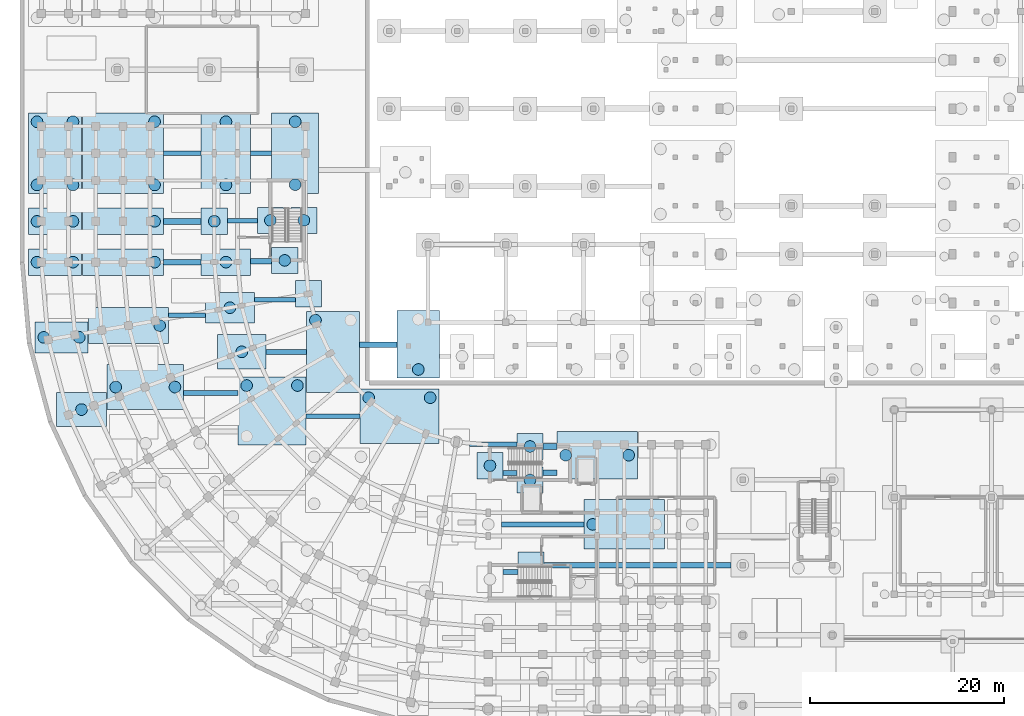
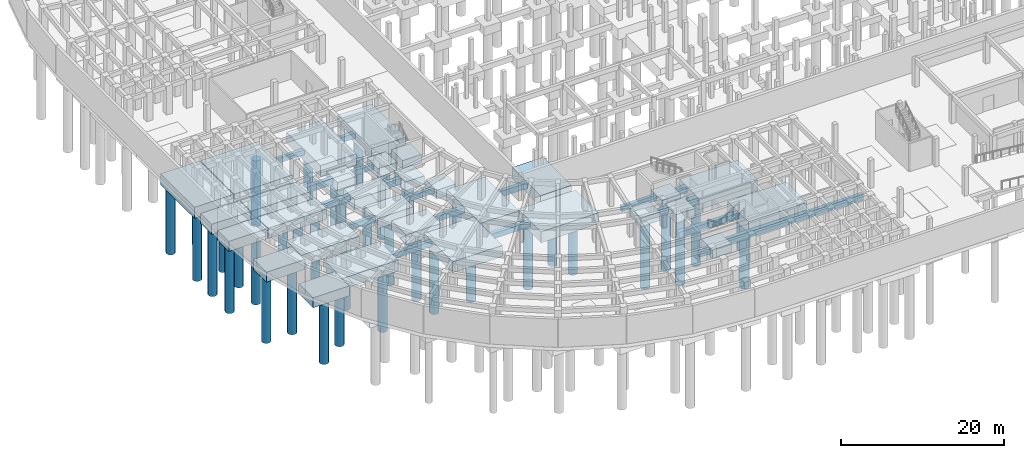
# One storey, part 2 of 53: 49 footings, 41 piles.
"""IFC4 building model written with IfcOpenShell, lengths in metres."""

from ifc_helpers import new_model, si_unit, direction, frame, origin, origin_2d, place, context, subcontext, project, spatial, rectangle, circle, extrude, material, material_profile, profile_set, type_object, element, save


model = new_model("IFC4")

# Units and contexts
model_context = context("Model", 3, precision=1e-05, world=origin(), true_north=direction((0.0, 1.0)))
body_context = subcontext(model_context, "Body", "Model", "MODEL_VIEW")
ifc_project = project(units=[si_unit("LENGTHUNIT", "METRE"), si_unit("AREAUNIT", "SQUARE_METRE"), si_unit("VOLUMEUNIT", "CUBIC_METRE"), si_unit("PLANEANGLEUNIT", "RADIAN"), si_unit("MASSUNIT", "GRAM", prefix="KILO")], contexts=[model_context])

# Site, building, storey
site_placement = place(None, origin())
site = spatial("IfcSite", under=ifc_project, at=site_placement, CompositionType="ELEMENT")
building_placement = place(site_placement, origin())
building = spatial("IfcBuilding", under=site, at=building_placement, Name="Kiranvali Square Residences", CompositionType="ELEMENT")
storey_placement = place(building_placement, frame((0.0, 0.0, -4.5)))
storey = spatial("IfcBuildingStorey", under=building, at=storey_placement, Name="B1", CompositionType="ELEMENT", Elevation=-4.5)

# Footings
ifc_material = material(Name="Concrete M40 (40 MPa)", Category="concrete")
footing_type_1 = type_object("IfcFootingType", Name="FTG-PILE_CAP-270x270x130", PredefinedType="PILE_CAP", material=ifc_material)
footing_1_placement = place(storey_placement, frame((52.58740234375, 17.02490234375, -1.7998046875), z_axis=(0.0, 0.0, 1.0), x_axis=(1.0, 0.0, 0.0)))
element("IfcFooting", 1, at=footing_1_placement, inside=storey, type_object=footing_type_1, Name="B1 pile cap 040", PredefinedType="PILE_CAP", context=body_context, shape_type="SweptSolid", body=[
    extrude(rectangle(XDim=2.700927734375, YDim=2.699951171875, at=origin_2d()), origin(), (0.0, 0.0, 1.0), 1.300048828125),
])
for number, where, z_axis, x_axis, name in (
    (2, (52.5, 25.77490234375, -1.7998046875), (0.0, 0.0, 1.0), (1.0, 0.0, 0.0), "B1 pile cap 061"),
    (3, (48.375, 27.25, -1.7998046875), (0.0, 0.0, 1.0), (1.0, 0.0, 0.0), "B1 pile cap 064"),
    (4, (52.5, 29.22509765625, -1.7998046875), (0.0, 0.0, 1.0), (1.0, 0.0, 0.0), "B1 pile cap 067"),
    (5, (29.68603515625, 44.93505859375, -1.7998046875), (0.0, 0.0, 1.0), (1.0, 0.0, 0.0), "B1 pile cap 108"),
    (6, (27.25, 48.375, -1.7998046875), (0.0, 0.0, 1.0), (1.0, 0.0, 0.0), "B1 pile cap 117"),
    (7, (20.0, 52.39990234375, -1.7998046875), (0.0, 0.0, 1.0), (1.0, 0.0, 0.0), "B1 pile cap 129"),
    (8, (25.77490234375, 52.5, -1.7998046875), (0.0, 0.0, 1.0), (1.0, 0.0, 0.0), "B1 pile cap 131"),
    (9, (29.22509765625, 52.5, -1.7998046875), (0.0, 0.0, 1.0), (1.0, 0.0, 0.0), "B1 pile cap 132"),
):
    element("IfcFooting", number, at=place(storey_placement, frame(where, z_axis=z_axis, x_axis=x_axis)), inside=storey, type_object=footing_type_1, Name=name, PredefinedType="PILE_CAP", context=body_context, shape_type="SweptSolid", body=[
        extrude(rectangle(XDim=2.699951171875, YDim=2.699951171875, at=origin_2d()), origin(), (0.0, 0.0, 1.0), 1.300048828125),
    ])
footing_type_2 = type_object("IfcFootingType", Name="FTG-PILE_CAP-496x352x150", PredefinedType="PILE_CAP", material=ifc_material)
footing_2_placement = place(storey_placement, frame((22.82861328125, 38.965576171875, -2.0), z_axis=(0.0, 0.0, 1.0), x_axis=(1.0, 0.0, 0.0)))
element("IfcFooting", 10, at=footing_2_placement, inside=storey, type_object=footing_type_2, Name="B1 pile cap 095", PredefinedType="PILE_CAP", context=body_context, shape_type="SweptSolid", body=[
    extrude(rectangle(XDim=4.955078125, YDim=3.52099609375, at=origin_2d()), origin(), (0.0, 0.0, 1.0), 1.5),
])
footing_type_3 = type_object("IfcFootingType", Name="FTG-PILE_CAP-506x312x150", PredefinedType="PILE_CAP", material=ifc_material)
footing_3_placement = place(storey_placement, frame((21.610107421875, 43.511474609375, -2.0), z_axis=(0.0, 0.0, 1.0), x_axis=(1.0, 0.0, 0.0)))
element("IfcFooting", 11, at=footing_3_placement, inside=storey, type_object=footing_type_3, Name="B1 pile cap 105", PredefinedType="PILE_CAP", context=body_context, shape_type="SweptSolid", body=[
    extrude(rectangle(XDim=5.06396484375, YDim=3.116943359375, at=origin_2d()), origin(), (0.0, 0.0, 1.0), 1.5),
])
footing_type_4 = type_object("IfcFootingType", Name="FTG-PILE_CAP-510x270x150", PredefinedType="PILE_CAP", material=ifc_material)
footing_4_placement = place(storey_placement, frame((21.199951171875, 48.199951171875, -2.0), z_axis=(0.0, 0.0, 1.0), x_axis=(1.0, 0.0, 0.0)))
element("IfcFooting", 12, at=footing_4_placement, inside=storey, type_object=footing_type_4, Name="B1 pile cap 116", PredefinedType="PILE_CAP", context=body_context, shape_type="SweptSolid", body=[
    extrude(rectangle(XDim=5.10009765625, YDim=2.699951171875, at=origin_2d()), origin(), (0.0, 0.0, 1.0), 1.5),
])
footing_type_5 = type_object("IfcFootingType", Name="FTG-PILE_CAP-512x351x150", PredefinedType="PILE_CAP", material=ifc_material)
footing_5_placement = place(storey_placement, frame((6.33251953125, 33.02099609375, -2.0), z_axis=(0.0, 0.0, 1.0), x_axis=(1.0, 0.0, 0.0)))
element("IfcFooting", 13, at=footing_5_placement, inside=storey, type_object=footing_type_5, Name="B1 pile cap 074", PredefinedType="PILE_CAP", context=body_context, shape_type="SweptSolid", body=[
    extrude(rectangle(XDim=5.116943359375, YDim=3.508056640625, at=origin_2d()), origin(), (0.0, 0.0, 1.0), 1.5),
])
footing_type_6 = type_object("IfcFootingType", Name="FTG-PILE_CAP-546x319x150", PredefinedType="PILE_CAP", material=ifc_material)
footing_6_placement = place(storey_placement, frame((4.277587890625, 40.455078125, -2.0), z_axis=(0.0, 0.0, 1.0), x_axis=(1.0, 0.0, 0.0)))
element("IfcFooting", 14, at=footing_6_placement, inside=storey, type_object=footing_type_6, Name="B1 pile cap 100", PredefinedType="PILE_CAP", context=body_context, shape_type="SweptSolid", body=[
    extrude(rectangle(XDim=5.45703125, YDim=3.18603515625, at=origin_2d()), origin(), (0.0, 0.0, 1.0), 1.5),
])
footing_type_7 = type_object("IfcFootingType", Name="FTG-PILE_CAP-550x270x150", PredefinedType="PILE_CAP", material=ifc_material)
for number, where, z_axis, x_axis, name in (
    (15, (3.60009765625, 48.199951171875, -2.0), (0.0, 0.0, 1.0), (1.0, 0.0, 0.0), "B1 pile cap 114"),
    (16, (3.60009765625, 52.39990234375, -2.0), (0.0, 0.0, 1.0), (1.0, 0.0, 0.0), "B1 pile cap 127"),
):
    element("IfcFooting", number, at=place(storey_placement, frame(where, z_axis=z_axis, x_axis=x_axis)), inside=storey, type_object=footing_type_7, Name=name, PredefinedType="PILE_CAP", context=body_context, shape_type="SweptSolid", body=[
        extrude(rectangle(XDim=5.5, YDim=2.699951171875, at=origin_2d()), origin(), (0.0, 0.0, 1.0), 1.5),
    ])
footing_type_8 = type_object("IfcFootingType", Name="FTG-PILE_CAP-695x440x165", PredefinedType="PILE_CAP", material=ifc_material)
footing_7_placement = place(storey_placement, frame((41.0, 39.72509765625, -2.14990234375), z_axis=(0.0, 0.0, 1.0), x_axis=(0.0, 1.0, 0.0)))
element("IfcFooting", 17, at=footing_7_placement, inside=storey, type_object=footing_type_8, Name="B1 pile cap 084", PredefinedType="PILE_CAP", context=body_context, shape_type="SweptSolid", body=[
    extrude(rectangle(XDim=6.949951171875, YDim=4.39990234375, at=origin_2d()), origin(), (0.0, 0.0, 1.0), 1.64990234375),
])
footing_type_9 = type_object("IfcFootingType", Name="FTG-PILE_CAP-703x703x165", PredefinedType="PILE_CAP", material=ifc_material)
footing_8_placement = place(storey_placement, frame((25.94140625, 32.884521484375, -2.14990234375), z_axis=(0.0, 0.0, 1.0), x_axis=(1.0, 0.0, 0.0)))
element("IfcFooting", 18, at=footing_8_placement, inside=storey, type_object=footing_type_9, Name="B1 pile cap 070", PredefinedType="PILE_CAP", context=body_context, shape_type="SweptSolid", body=[
    extrude(rectangle(XDim=7.027099609375, YDim=7.027099609375, at=origin_2d()), origin(), (0.0, 0.0, 1.0), 1.64990234375),
])
footing_type_10 = type_object("IfcFootingType", Name="FTG-PILE_CAP-790x462x165", PredefinedType="PILE_CAP", material=ifc_material)
footing_9_placement = place(storey_placement, frame((12.8994140625, 35.340087890625, -2.14990234375), z_axis=(0.0, 0.0, 1.0), x_axis=(1.0, 0.0, 0.0)))
element("IfcFooting", 19, at=footing_9_placement, inside=storey, type_object=footing_type_10, Name="B1 pile cap 081", PredefinedType="PILE_CAP", context=body_context, shape_type="SweptSolid", body=[
    extrude(rectangle(XDim=7.89892578125, YDim=4.615966796875, at=origin_2d()), origin(), (0.0, 0.0, 1.0), 1.64990234375),
])
footing_type_11 = type_object("IfcFootingType", Name="FTG-PILE_CAP-813x563x165", PredefinedType="PILE_CAP", material=ifc_material)
footing_10_placement = place(storey_placement, frame((39.053466796875, 32.33154296875, -2.14990234375), z_axis=(0.0, 0.0, 1.0), x_axis=(1.0, 0.0, 0.0)))
element("IfcFooting", 20, at=footing_10_placement, inside=storey, type_object=footing_type_11, Name="B1 pile cap 073", PredefinedType="PILE_CAP", context=body_context, shape_type="SweptSolid", body=[
    extrude(rectangle(XDim=8.133056640625, YDim=5.633056640625, at=origin_2d()), origin(), (0.0, 0.0, 1.0), 1.64990234375),
])
footing_type_12 = type_object("IfcFootingType", Name="FTG-PILE_CAP-821x367x165", PredefinedType="PILE_CAP", material=ifc_material)
footing_11_placement = place(storey_placement, frame((11.17138671875, 41.6708984375, -2.14990234375), z_axis=(0.0, 0.0, 1.0), x_axis=(1.0, 0.0, 0.0)))
element("IfcFooting", 21, at=footing_11_placement, inside=storey, type_object=footing_type_12, Name="B1 pile cap 101", PredefinedType="PILE_CAP", context=body_context, shape_type="SweptSolid", body=[
    extrude(rectangle(XDim=8.215087890625, YDim=3.672119140625, at=origin_2d()), origin(), (0.0, 0.0, 1.0), 1.64990234375),
])
footing_type_13 = type_object("IfcFootingType", Name="FTG-PILE_CAP-828x485x165", PredefinedType="PILE_CAP", material=ifc_material)
for number, where, z_axis, x_axis, name in (
    (22, (59.41259765625, 28.324951171875, -2.14990234375), (0.0, 0.0, 1.0), (1.0, 0.0, 0.0), "B1 pile cap 065"),
    (23, (28.324951171875, 59.41259765625, -2.14990234375), (0.0, 0.0, 1.0), (0.0, 1.0, 0.0), "B1 pile cap 151"),
):
    element("IfcFooting", number, at=place(storey_placement, frame(where, z_axis=z_axis, x_axis=x_axis)), inside=storey, type_object=footing_type_13, Name=name, PredefinedType="PILE_CAP", context=body_context, shape_type="SweptSolid", body=[
        extrude(rectangle(XDim=8.27490234375, YDim=4.85009765625, at=origin_2d()), origin(), (0.0, 0.0, 1.0), 1.64990234375),
    ])
footing_type_14 = type_object("IfcFootingType", Name="FTG-PILE_CAP-830x270x150", PredefinedType="PILE_CAP", material=ifc_material)
for number, where, z_axis, x_axis, name in (
    (24, (10.60009765625, 48.199951171875, -2.0), (0.0, 0.0, 1.0), (1.0, 0.0, 0.0), "B1 pile cap 115"),
    (25, (10.60009765625, 52.39990234375, -2.0), (0.0, 0.0, 1.0), (1.0, 0.0, 0.0), "B1 pile cap 128"),
):
    element("IfcFooting", number, at=place(storey_placement, frame(where, z_axis=z_axis, x_axis=x_axis)), inside=storey, type_object=footing_type_14, Name=name, PredefinedType="PILE_CAP", context=body_context, shape_type="SweptSolid", body=[
        extrude(rectangle(XDim=8.300048828125, YDim=2.699951171875, at=origin_2d()), origin(), (0.0, 0.0, 1.0), 1.5),
    ])
footing_type_15 = type_object("IfcFootingType", Name="FTG-PILE_CAP-830x510x165", PredefinedType="PILE_CAP", material=ifc_material)
for number, where, z_axis, x_axis, name in (
    (26, (62.199951171875, 21.199951171875, -2.14990234375), (0.0, 0.0, 1.0), (1.0, 0.0, 0.0), "B1 pile cap 047"),
    (27, (21.199951171875, 59.39990234375, -2.14990234375), (0.0, 0.0, 1.0), (0.0, 1.0, 0.0), "B1 pile cap 150"),
):
    element("IfcFooting", number, at=place(storey_placement, frame(where, z_axis=z_axis, x_axis=x_axis)), inside=storey, type_object=footing_type_15, Name=name, PredefinedType="PILE_CAP", context=body_context, shape_type="SweptSolid", body=[
        extrude(rectangle(XDim=8.300048828125, YDim=5.10009765625, at=origin_2d()), origin(), (0.0, 0.0, 1.0), 1.64990234375),
    ])
footing_type_16 = type_object("IfcFootingType", Name="FTG-PILE_CAP-830x550x165", PredefinedType="PILE_CAP", material=ifc_material)
footing_12_placement = place(storey_placement, frame((3.60009765625, 59.39990234375, -2.14990234375), z_axis=(0.0, 0.0, 1.0), x_axis=(0.0, 1.0, 0.0)))
element("IfcFooting", 28, at=footing_12_placement, inside=storey, type_object=footing_type_16, Name="B1 pile cap 148", PredefinedType="PILE_CAP", context=body_context, shape_type="SweptSolid", body=[
    extrude(rectangle(XDim=8.300048828125, YDim=5.5, at=origin_2d()), origin(), (0.0, 0.0, 1.0), 1.64990234375),
])
footing_type_17 = type_object("IfcFootingType", Name="FTG-PILE_CAP-830x830x180", PredefinedType="PILE_CAP", material=ifc_material)
footing_13_placement = place(storey_placement, frame((10.60009765625, 59.39990234375, -2.2998046875), z_axis=(0.0, 0.0, 1.0), x_axis=(1.0, 0.0, 0.0)))
element("IfcFooting", 29, at=footing_13_placement, inside=storey, type_object=footing_type_17, Name="B1 pile cap 149", PredefinedType="PILE_CAP", context=body_context, shape_type="SweptSolid", body=[
    extrude(rectangle(XDim=8.300048828125, YDim=8.300048828125, at=origin_2d()), origin(), (0.0, 0.0, 1.0), 1.800048828125),
])
footing_type_18 = type_object("IfcFootingType", Name="FTG-PILE_CAP-835x541x165", PredefinedType="PILE_CAP", material=ifc_material)
footing_14_placement = place(storey_placement, frame((32.220947265625, 38.943115234375, -2.14990234375), z_axis=(0.0, 0.0, 1.0), x_axis=(0.0, 1.0, 0.0)))
element("IfcFooting", 30, at=footing_14_placement, inside=storey, type_object=footing_type_18, Name="B1 pile cap 082", PredefinedType="PILE_CAP", context=body_context, shape_type="SweptSolid", body=[
    extrude(rectangle(XDim=8.35400390625, YDim=5.412109375, at=origin_2d()), origin(), (0.0, 0.0, 1.0), 1.64990234375),
])
ifc_material_profile_1 = material_profile(ifc_material, rectangle(XDim=0.449951171875, YDim=0.75, at=origin_2d()), Name="GB 450x750")
ifc_profile_set_1 = profile_set([ifc_material_profile_1], Name="Concrete M40 (40 MPa)")
footing_type_19 = type_object("IfcFootingType", Name="GB-M40-450x750", PredefinedType="FOOTING_BEAM", material=ifc_profile_set_1)
footing_15_placement = place(storey_placement, frame((46.284912109375, 29.45556640625, -0.875), z_axis=(1.0, 0.0, 0.0), x_axis=(0.0, 1.0, 0.0)))
element("IfcFooting", 31, at=footing_15_placement, inside=storey, type_object=footing_type_19, Name="Continuous foundation ground beam GB-056", PredefinedType="FOOTING_BEAM", context=body_context, shape_type="SweptSolid", body=[
    extrude(rectangle(XDim=0.449951171875, YDim=0.75, at=origin_2d()), origin(), (0.0, 0.0, 1.0), 4.864990234375),
])
footing_16_placement = place(storey_placement, frame((24.14208984375, 44.327392578125, -0.875), z_axis=(1.0, 0.0, 0.0), x_axis=(0.0, 1.0, 0.0)))
element("IfcFooting", 32, at=footing_16_placement, inside=storey, type_object=footing_type_19, Name="Continuous foundation ground beam GB-084", PredefinedType="FOOTING_BEAM", context=body_context, shape_type="SweptSolid", body=[
    extrude(rectangle(XDim=0.449951171875, YDim=0.75, at=origin_2d()), origin(), (0.0, 0.0, 1.0), 4.19384765625),
])
footing_17_placement = place(storey_placement, frame((21.35009765625, 52.449951171875, -0.875), z_axis=(1.0, 0.0, 0.0), x_axis=(0.0, 1.0, 0.0)))
element("IfcFooting", 33, at=footing_17_placement, inside=storey, type_object=footing_type_19, Name="Continuous foundation ground beam GB-100", PredefinedType="FOOTING_BEAM", context=body_context, shape_type="SweptSolid", body=[
    extrude(rectangle(XDim=0.449951171875, YDim=0.75, at=origin_2d()), origin(), (0.0, 0.0, 1.0), 3.074951171875),
])
footing_18_placement = place(storey_placement, frame((14.75, 59.39990234375, -0.875), z_axis=(1.0, 0.0, 0.0), x_axis=(0.0, 1.0, 0.0)))
element("IfcFooting", 34, at=footing_18_placement, inside=storey, type_object=footing_type_19, Name="Continuous foundation ground beam GB-116", PredefinedType="FOOTING_BEAM", context=body_context, shape_type="SweptSolid", body=[
    extrude(rectangle(XDim=0.449951171875, YDim=0.75, at=origin_2d()), origin(), (0.0, 0.0, 1.0), 3.89990234375),
])
ifc_material_profile_2 = material_profile(ifc_material, rectangle(XDim=0.5, YDim=0.800048828125, at=origin_2d()), Name="GB 500x800")
ifc_profile_set_2 = profile_set([ifc_material_profile_2], Name="Concrete M40 (40 MPa)")
footing_type_20 = type_object("IfcFootingType", Name="GB-M40-500x800", PredefinedType="FOOTING_BEAM", material=ifc_profile_set_2)
footing_19_placement = place(storey_placement, frame((49.72509765625, 16.28759765625, -0.89990234375), z_axis=(1.0, 0.0, 0.0), x_axis=(0.0, 1.0, 0.0)))
element("IfcFooting", 35, at=footing_19_placement, inside=storey, type_object=footing_type_20, Name="Continuous foundation ground beam GB-033", PredefinedType="FOOTING_BEAM", context=body_context, shape_type="SweptSolid", body=[
    extrude(rectangle(XDim=0.5, YDim=0.800048828125, at=origin_2d()), origin(), (0.0, 0.0, 1.0), 1.511962890625),
])
footing_20_placement = place(storey_placement, frame((49.72509765625, 26.512451171875, -0.89990234375), z_axis=(1.0, 0.0, 0.0), x_axis=(0.0, 1.0, 0.0)))
element("IfcFooting", 36, at=footing_20_placement, inside=storey, type_object=footing_type_20, Name="Continuous foundation ground beam GB-053", PredefinedType="FOOTING_BEAM", context=body_context, shape_type="SweptSolid", body=[
    extrude(rectangle(XDim=0.5, YDim=0.800048828125, at=origin_2d()), origin(), (0.0, 0.0, 1.0), 1.4248046875),
])
footing_21_placement = place(storey_placement, frame((29.455078125, 32.33154296875, -0.89990234375), z_axis=(1.0, 0.0, 0.0), x_axis=(0.0, 1.0, 0.0)))
element("IfcFooting", 37, at=footing_21_placement, inside=storey, type_object=footing_type_20, Name="Continuous foundation ground beam GB-057", PredefinedType="FOOTING_BEAM", context=body_context, shape_type="SweptSolid", body=[
    extrude(rectangle(XDim=0.5, YDim=0.800048828125, at=origin_2d()), origin(), (0.0, 0.0, 1.0), 5.531982421875),
])
footing_22_placement = place(storey_placement, frame((16.84912109375, 34.715087890625, -0.89990234375), z_axis=(1.0, 0.0, 0.0), x_axis=(0.0, 1.0, 0.0)))
element("IfcFooting", 38, at=footing_22_placement, inside=storey, type_object=footing_type_20, Name="Continuous foundation ground beam GB-065", PredefinedType="FOOTING_BEAM", context=body_context, shape_type="SweptSolid", body=[
    extrude(rectangle(XDim=0.5, YDim=0.800048828125, at=origin_2d()), origin(), (0.0, 0.0, 1.0), 5.578857421875),
])
footing_23_placement = place(storey_placement, frame((25.305908203125, 38.965576171875, -0.89990234375), z_axis=(1.0, 0.0, 0.0), x_axis=(0.0, 1.0, 0.0)))
element("IfcFooting", 39, at=footing_23_placement, inside=storey, type_object=footing_type_20, Name="Continuous foundation ground beam GB-077", PredefinedType="FOOTING_BEAM", context=body_context, shape_type="SweptSolid", body=[
    extrude(rectangle(XDim=0.5, YDim=0.800048828125, at=origin_2d()), origin(), (0.0, 0.0, 1.0), 4.208984375),
])
footing_24_placement = place(storey_placement, frame((15.279052734375, 42.72998046875, -0.89990234375), z_axis=(1.0, 0.0, 0.0), x_axis=(0.0, 1.0, 0.0)))
element("IfcFooting", 40, at=footing_24_placement, inside=storey, type_object=footing_type_20, Name="Continuous foundation ground beam GB-081", PredefinedType="FOOTING_BEAM", context=body_context, shape_type="SweptSolid", body=[
    extrude(rectangle(XDim=0.5, YDim=0.800048828125, at=origin_2d()), origin(), (0.0, 0.0, 1.0), 3.798828125),
])
footing_25_placement = place(storey_placement, frame((23.75, 59.41259765625, -0.89990234375), z_axis=(1.0, 0.0, 0.0), x_axis=(0.0, 1.0, 0.0)))
element("IfcFooting", 41, at=footing_25_placement, inside=storey, type_object=footing_type_20, Name="Continuous foundation ground beam GB-117", PredefinedType="FOOTING_BEAM", context=body_context, shape_type="SweptSolid", body=[
    extrude(rectangle(XDim=0.5, YDim=0.800048828125, at=origin_2d()), origin(), (0.0, 0.0, 1.0), 2.14990234375),
])
ifc_material_profile_3 = material_profile(ifc_material, rectangle(XDim=0.550048828125, YDim=0.85009765625, at=origin_2d()), Name="GB 550x850")
ifc_profile_set_3 = profile_set([ifc_material_profile_3], Name="Concrete M40 (40 MPa)")
footing_type_21 = type_object("IfcFootingType", Name="GB-M40-550x850", PredefinedType="FOOTING_BEAM", material=ifc_profile_set_3)
footing_26_placement = place(storey_placement, frame((53.93798828125, 17.0, -0.925048828125), z_axis=(1.0, 0.0, 0.0), x_axis=(0.0, 1.0, 0.0)))
element("IfcFooting", 42, at=footing_26_placement, inside=storey, type_object=footing_type_21, Name="Continuous foundation ground beam GB-034", PredefinedType="FOOTING_BEAM", context=body_context, shape_type="SweptSolid", body=[
    extrude(rectangle(XDim=0.550048828125, YDim=0.85009765625, at=origin_2d()), origin(), (0.0, 0.0, 1.0), 19.261962890625),
])
footing_27_placement = place(storey_placement, frame((49.550048828125, 21.199951171875, -0.925048828125), z_axis=(1.0, 0.0, 0.0), x_axis=(0.0, 1.0, 0.0)))
element("IfcFooting", 43, at=footing_27_placement, inside=storey, type_object=footing_type_21, Name="Continuous foundation ground beam GB-038", PredefinedType="FOOTING_BEAM", context=body_context, shape_type="SweptSolid", body=[
    extrude(rectangle(XDim=0.550048828125, YDim=0.85009765625, at=origin_2d()), origin(), (0.0, 0.0, 1.0), 8.5),
])
footing_28_placement = place(storey_placement, frame((34.927001953125, 39.68505859375, -0.925048828125), z_axis=(1.0, 0.0, 0.0), x_axis=(0.0, 1.0, 0.0)))
element("IfcFooting", 44, at=footing_28_placement, inside=storey, type_object=footing_type_21, Name="Continuous foundation ground beam GB-066", PredefinedType="FOOTING_BEAM", context=body_context, shape_type="SweptSolid", body=[
    extrude(rectangle(XDim=0.550048828125, YDim=0.85009765625, at=origin_2d()), origin(), (0.0, 0.0, 1.0), 3.873046875),
])
footing_29_placement = place(storey_placement, frame((14.75, 48.199951171875, -0.925048828125), z_axis=(1.0, 0.0, 0.0), x_axis=(0.0, 1.0, 0.0)))
element("IfcFooting", 45, at=footing_29_placement, inside=storey, type_object=footing_type_21, Name="Continuous foundation ground beam GB-090", PredefinedType="FOOTING_BEAM", context=body_context, shape_type="SweptSolid", body=[
    extrude(rectangle(XDim=0.550048828125, YDim=0.85009765625, at=origin_2d()), origin(), (0.0, 0.0, 1.0), 3.89990234375),
])
ifc_material_profile_4 = material_profile(ifc_material, rectangle(XDim=0.60009765625, YDim=0.89990234375, at=origin_2d()), Name="GB 600x900")
ifc_profile_set_4 = profile_set([ifc_material_profile_4], Name="Concrete M40 (40 MPa)")
footing_type_22 = type_object("IfcFootingType", Name="GB-M40-600x900", PredefinedType="FOOTING_BEAM", material=ifc_profile_set_4)
for number, where, z_axis, x_axis, name in (
    (46, (53.85009765625, 26.512451171875, -0.949951171875), (1.0, 0.0, 0.0), (0.0, 1.0, 0.0), "Continuous foundation ground beam GB-051"),
    (47, (53.85009765625, 29.22509765625, -0.949951171875), (1.0, 0.0, 0.0), (0.0, 1.0, 0.0), "Continuous foundation ground beam GB-055"),
):
    element("IfcFooting", number, at=place(storey_placement, frame(where, z_axis=z_axis, x_axis=x_axis)), inside=storey, type_object=footing_type_22, Name=name, PredefinedType="FOOTING_BEAM", context=body_context, shape_type="SweptSolid", body=[
        extrude(rectangle(XDim=0.60009765625, YDim=0.89990234375, at=origin_2d()), origin(), (0.0, 0.0, 1.0), 1.4248046875),
    ])
footing_30_placement = place(storey_placement, frame((23.75, 48.28759765625, -0.949951171875), z_axis=(1.0, 0.0, 0.0), x_axis=(0.0, 1.0, 0.0)))
element("IfcFooting", 48, at=footing_30_placement, inside=storey, type_object=footing_type_22, Name="Continuous foundation ground beam GB-091", PredefinedType="FOOTING_BEAM", context=body_context, shape_type="SweptSolid", body=[
    extrude(rectangle(XDim=0.60009765625, YDim=0.89990234375, at=origin_2d()), origin(), (0.0, 0.0, 1.0), 2.14990234375),
])
footing_31_placement = place(storey_placement, frame((14.75, 52.39990234375, -0.949951171875), z_axis=(1.0, 0.0, 0.0), x_axis=(0.0, 1.0, 0.0)))
element("IfcFooting", 49, at=footing_31_placement, inside=storey, type_object=footing_type_22, Name="Continuous foundation ground beam GB-099", PredefinedType="FOOTING_BEAM", context=body_context, shape_type="SweptSolid", body=[
    extrude(rectangle(XDim=0.60009765625, YDim=0.89990234375, at=origin_2d()), origin(), (0.0, 0.0, 1.0), 3.89990234375),
])

# Piles
ifc_material_profile_5 = material_profile(ifc_material, circle(Radius=0.60009765625, at=origin_2d()), Name="BORED PILE 1200")
ifc_profile_set_5 = profile_set([ifc_material_profile_5], Name="Concrete M40 (40 MPa)")
pile_type = type_object("IfcPileType", Name="PILE-BORED-1200", PredefinedType="BORED", material=ifc_profile_set_5)
pile_1_placement = place(storey_placement, frame((58.949951171875, 21.199951171875, -2.050048828125), z_axis=(0.0, 0.0, -1.0), x_axis=(1.0, 0.0, 0.0)))
element("IfcPile", 50, at=pile_1_placement, inside=storey, type_object=pile_type, Name="Bored basalt-socketed pile P-0064", PredefinedType="BORED", context=body_context, shape_type="SweptSolid", body=[
    extrude(circle(Radius=0.60009765625, at=origin_2d()), origin(), (0.0, 0.0, 1.0), 9.949951171875),
])
for number, where, z_axis, x_axis, name in (
    (51, (52.5, 25.77490234375, -1.699951171875), (0.0, 0.0, -1.0), (1.0, 0.0, 0.0), "Bored basalt-socketed pile P-0083"),
    (52, (48.375, 27.25, -1.699951171875), (0.0, 0.0, -1.0), (1.0, 0.0, 0.0), "Bored basalt-socketed pile P-0086"),
):
    element("IfcPile", number, at=place(storey_placement, frame(where, z_axis=z_axis, x_axis=x_axis)), inside=storey, type_object=pile_type, Name=name, PredefinedType="BORED", context=body_context, shape_type="SweptSolid", body=[
        extrude(circle(Radius=0.60009765625, at=origin_2d()), origin(), (0.0, 0.0, 1.0), 10.300048828125),
    ])
for number, where, z_axis, x_axis, name in (
    (53, (56.175048828125, 28.324951171875, -2.050048828125), (0.0, 0.0, -1.0), (1.0, 0.0, 0.0), "Bored basalt-socketed pile P-0087"),
    (54, (62.64990234375, 28.324951171875, -2.050048828125), (0.0, 0.0, -1.0), (1.0, 0.0, 0.0), "Bored basalt-socketed pile P-0088"),
):
    element("IfcPile", number, at=place(storey_placement, frame(where, z_axis=z_axis, x_axis=x_axis)), inside=storey, type_object=pile_type, Name=name, PredefinedType="BORED", context=body_context, shape_type="SweptSolid", body=[
        extrude(circle(Radius=0.60009765625, at=origin_2d()), origin(), (0.0, 0.0, 1.0), 9.949951171875),
    ])
pile_2_placement = place(storey_placement, frame((52.5, 29.22509765625, -1.699951171875), z_axis=(0.0, 0.0, -1.0), x_axis=(1.0, 0.0, 0.0)))
element("IfcPile", 55, at=pile_2_placement, inside=storey, type_object=pile_type, Name="Bored basalt-socketed pile P-0091", PredefinedType="BORED", context=body_context, shape_type="SweptSolid", body=[
    extrude(circle(Radius=0.60009765625, at=origin_2d()), origin(), (0.0, 0.0, 1.0), 10.300048828125),
])
for number, where, z_axis, x_axis, name in (
    (56, (23.327880859375, 35.498046875, -2.050048828125), (0.0, 0.0, -1.0), (1.0, 0.0, 0.0), "Bored basalt-socketed pile P-0095"),
    (57, (28.554931640625, 35.498046875, -2.050048828125), (0.0, 0.0, -1.0), (1.0, 0.0, 0.0), "Bored basalt-socketed pile P-0096"),
    (58, (35.886962890625, 34.248046875, -2.050048828125), (0.0, 0.0, -1.0), (1.0, 0.0, 0.0), "Bored basalt-socketed pile P-0099"),
    (59, (42.219970703125, 34.248046875, -2.050048828125), (0.0, 0.0, -1.0), (1.0, 0.0, 0.0), "Bored basalt-socketed pile P-0100"),
):
    element("IfcPile", number, at=place(storey_placement, frame(where, z_axis=z_axis, x_axis=x_axis)), inside=storey, type_object=pile_type, Name=name, PredefinedType="BORED", context=body_context, shape_type="SweptSolid", body=[
        extrude(circle(Radius=0.60009765625, at=origin_2d()), origin(), (0.0, 0.0, 1.0), 9.949951171875),
    ])
pile_3_placement = place(storey_placement, frame((6.33251953125, 33.02099609375, -1.89990234375), z_axis=(0.0, 0.0, -1.0), x_axis=(1.0, 0.0, 0.0)))
element("IfcPile", 60, at=pile_3_placement, inside=storey, type_object=pile_type, Name="Bored basalt-socketed pile P-0101", PredefinedType="BORED", context=body_context, shape_type="SweptSolid", body=[
    extrude(circle(Radius=0.60009765625, at=origin_2d()), origin(), (0.0, 0.0, 1.0), 10.10009765625),
])
for number, where, z_axis, x_axis, name in (
    (61, (9.85009765625, 35.340087890625, -2.050048828125), (0.0, 0.0, -1.0), (1.0, 0.0, 0.0), "Bored basalt-socketed pile P-0108"),
    (62, (15.948974609375, 35.340087890625, -2.050048828125), (0.0, 0.0, -1.0), (1.0, 0.0, 0.0), "Bored basalt-socketed pile P-0109"),
    (63, (30.4150390625, 42.219970703125, -2.050048828125), (0.0, 0.0, -1.0), (1.0, 0.0, 0.0), "Bored basalt-socketed pile P-0110"),
    (64, (41.0, 37.14990234375, -2.050048828125), (0.0, 0.0, -1.0), (1.0, 0.0, 0.0), "Bored basalt-socketed pile P-0114"),
):
    element("IfcPile", number, at=place(storey_placement, frame(where, z_axis=z_axis, x_axis=x_axis)), inside=storey, type_object=pile_type, Name=name, PredefinedType="BORED", context=body_context, shape_type="SweptSolid", body=[
        extrude(circle(Radius=0.60009765625, at=origin_2d()), origin(), (0.0, 0.0, 1.0), 9.949951171875),
    ])
for number, where, z_axis, x_axis, name in (
    (65, (22.82861328125, 38.965576171875, -1.89990234375), (0.0, 0.0, -1.0), (1.0, 0.0, 0.0), "Bored basalt-socketed pile P-0138"),
    (66, (2.448974609375, 40.455078125, -1.89990234375), (0.0, 0.0, -1.0), (1.0, 0.0, 0.0), "Bored basalt-socketed pile P-0143"),
    (67, (6.10595703125, 40.455078125, -1.89990234375), (0.0, 0.0, -1.0), (1.0, 0.0, 0.0), "Bored basalt-socketed pile P-0144"),
):
    element("IfcPile", number, at=place(storey_placement, frame(where, z_axis=z_axis, x_axis=x_axis)), inside=storey, type_object=pile_type, Name=name, PredefinedType="BORED", context=body_context, shape_type="SweptSolid", body=[
        extrude(circle(Radius=0.60009765625, at=origin_2d()), origin(), (0.0, 0.0, 1.0), 10.10009765625),
    ])
pile_4_placement = place(storey_placement, frame((14.37890625, 41.6708984375, -2.050048828125), z_axis=(0.0, 0.0, -1.0), x_axis=(1.0, 0.0, 0.0)))
element("IfcPile", 68, at=pile_4_placement, inside=storey, type_object=pile_type, Name="Bored basalt-socketed pile P-0145", PredefinedType="BORED", context=body_context, shape_type="SweptSolid", body=[
    extrude(circle(Radius=0.60009765625, at=origin_2d()), origin(), (0.0, 0.0, 1.0), 9.949951171875),
])
for number, where, z_axis, x_axis, name in (
    (69, (21.610107421875, 43.511474609375, -1.89990234375), (0.0, 0.0, -1.0), (1.0, 0.0, 0.0), "Bored basalt-socketed pile P-0149"),
    (70, (1.75, 48.199951171875, -1.89990234375), (0.0, 0.0, -1.0), (1.0, 0.0, 0.0), "Bored basalt-socketed pile P-0157"),
    (71, (5.449951171875, 48.199951171875, -1.89990234375), (0.0, 0.0, -1.0), (1.0, 0.0, 0.0), "Bored basalt-socketed pile P-0158"),
    (72, (13.85009765625, 48.199951171875, -1.89990234375), (0.0, 0.0, -1.0), (1.0, 0.0, 0.0), "Bored basalt-socketed pile P-0159"),
    (73, (21.199951171875, 48.199951171875, -1.89990234375), (0.0, 0.0, -1.0), (1.0, 0.0, 0.0), "Bored basalt-socketed pile P-0160"),
):
    element("IfcPile", number, at=place(storey_placement, frame(where, z_axis=z_axis, x_axis=x_axis)), inside=storey, type_object=pile_type, Name=name, PredefinedType="BORED", context=body_context, shape_type="SweptSolid", body=[
        extrude(circle(Radius=0.60009765625, at=origin_2d()), origin(), (0.0, 0.0, 1.0), 10.10009765625),
    ])
pile_5_placement = place(storey_placement, frame((27.25, 48.375, -1.699951171875), z_axis=(0.0, 0.0, -1.0), x_axis=(1.0, 0.0, 0.0)))
element("IfcPile", 74, at=pile_5_placement, inside=storey, type_object=pile_type, Name="Bored basalt-socketed pile P-0161", PredefinedType="BORED", context=body_context, shape_type="SweptSolid", body=[
    extrude(circle(Radius=0.60009765625, at=origin_2d()), origin(), (0.0, 0.0, 1.0), 10.300048828125),
])
for number, where, z_axis, x_axis, name in (
    (75, (1.75, 52.39990234375, -1.89990234375), (0.0, 0.0, -1.0), (1.0, 0.0, 0.0), "Bored basalt-socketed pile P-0171"),
    (76, (5.449951171875, 52.39990234375, -1.89990234375), (0.0, 0.0, -1.0), (1.0, 0.0, 0.0), "Bored basalt-socketed pile P-0172"),
    (77, (13.85009765625, 52.39990234375, -1.89990234375), (0.0, 0.0, -1.0), (1.0, 0.0, 0.0), "Bored basalt-socketed pile P-0173"),
):
    element("IfcPile", number, at=place(storey_placement, frame(where, z_axis=z_axis, x_axis=x_axis)), inside=storey, type_object=pile_type, Name=name, PredefinedType="BORED", context=body_context, shape_type="SweptSolid", body=[
        extrude(circle(Radius=0.60009765625, at=origin_2d()), origin(), (0.0, 0.0, 1.0), 10.10009765625),
    ])
for number, where, z_axis, x_axis, name in (
    (78, (20.0, 52.39990234375, -1.699951171875), (0.0, 0.0, -1.0), (1.0, 0.0, 0.0), "Bored basalt-socketed pile P-0174"),
    (79, (25.77490234375, 52.5, -1.699951171875), (0.0, 0.0, -1.0), (1.0, 0.0, 0.0), "Bored basalt-socketed pile P-0179"),
    (80, (29.22509765625, 52.5, -1.699951171875), (0.0, 0.0, -1.0), (1.0, 0.0, 0.0), "Bored basalt-socketed pile P-0180"),
):
    element("IfcPile", number, at=place(storey_placement, frame(where, z_axis=z_axis, x_axis=x_axis)), inside=storey, type_object=pile_type, Name=name, PredefinedType="BORED", context=body_context, shape_type="SweptSolid", body=[
        extrude(circle(Radius=0.60009765625, at=origin_2d()), origin(), (0.0, 0.0, 1.0), 10.300048828125),
    ])
for number, where, z_axis, x_axis, name in (
    (81, (1.75, 56.14990234375, -2.050048828125), (0.0, 0.0, -1.0), (1.0, 0.0, 0.0), "Bored basalt-socketed pile P-0202"),
    (82, (1.75, 62.64990234375, -2.050048828125), (0.0, 0.0, -1.0), (1.0, 0.0, 0.0), "Bored basalt-socketed pile P-0203"),
    (83, (5.449951171875, 56.14990234375, -2.050048828125), (0.0, 0.0, -1.0), (1.0, 0.0, 0.0), "Bored basalt-socketed pile P-0204"),
    (84, (5.449951171875, 62.64990234375, -2.050048828125), (0.0, 0.0, -1.0), (1.0, 0.0, 0.0), "Bored basalt-socketed pile P-0205"),
):
    element("IfcPile", number, at=place(storey_placement, frame(where, z_axis=z_axis, x_axis=x_axis)), inside=storey, type_object=pile_type, Name=name, PredefinedType="BORED", context=body_context, shape_type="SweptSolid", body=[
        extrude(circle(Radius=0.60009765625, at=origin_2d()), origin(), (0.0, 0.0, 1.0), 9.949951171875),
    ])
for number, where, z_axis, x_axis, name in (
    (85, (13.85009765625, 56.14990234375, -2.199951171875), (0.0, 0.0, -1.0), (1.0, 0.0, 0.0), "Bored basalt-socketed pile P-0206"),
    (86, (13.85009765625, 62.64990234375, -2.199951171875), (0.0, 0.0, -1.0), (1.0, 0.0, 0.0), "Bored basalt-socketed pile P-0207"),
):
    element("IfcPile", number, at=place(storey_placement, frame(where, z_axis=z_axis, x_axis=x_axis)), inside=storey, type_object=pile_type, Name=name, PredefinedType="BORED", context=body_context, shape_type="SweptSolid", body=[
        extrude(circle(Radius=0.60009765625, at=origin_2d()), origin(), (0.0, 0.0, 1.0), 9.800048828125),
    ])
for number, where, z_axis, x_axis, name in (
    (87, (21.199951171875, 56.14990234375, -2.050048828125), (0.0, 0.0, -1.0), (1.0, 0.0, 0.0), "Bored basalt-socketed pile P-0208"),
    (88, (21.199951171875, 62.64990234375, -2.050048828125), (0.0, 0.0, -1.0), (1.0, 0.0, 0.0), "Bored basalt-socketed pile P-0209"),
    (89, (28.324951171875, 56.175048828125, -2.050048828125), (0.0, 0.0, -1.0), (1.0, 0.0, 0.0), "Bored basalt-socketed pile P-0210"),
    (90, (28.324951171875, 62.64990234375, -2.050048828125), (0.0, 0.0, -1.0), (1.0, 0.0, 0.0), "Bored basalt-socketed pile P-0211"),
):
    element("IfcPile", number, at=place(storey_placement, frame(where, z_axis=z_axis, x_axis=x_axis)), inside=storey, type_object=pile_type, Name=name, PredefinedType="BORED", context=body_context, shape_type="SweptSolid", body=[
        extrude(circle(Radius=0.60009765625, at=origin_2d()), origin(), (0.0, 0.0, 1.0), 9.949951171875),
    ])

save(model, "model.ifc")
